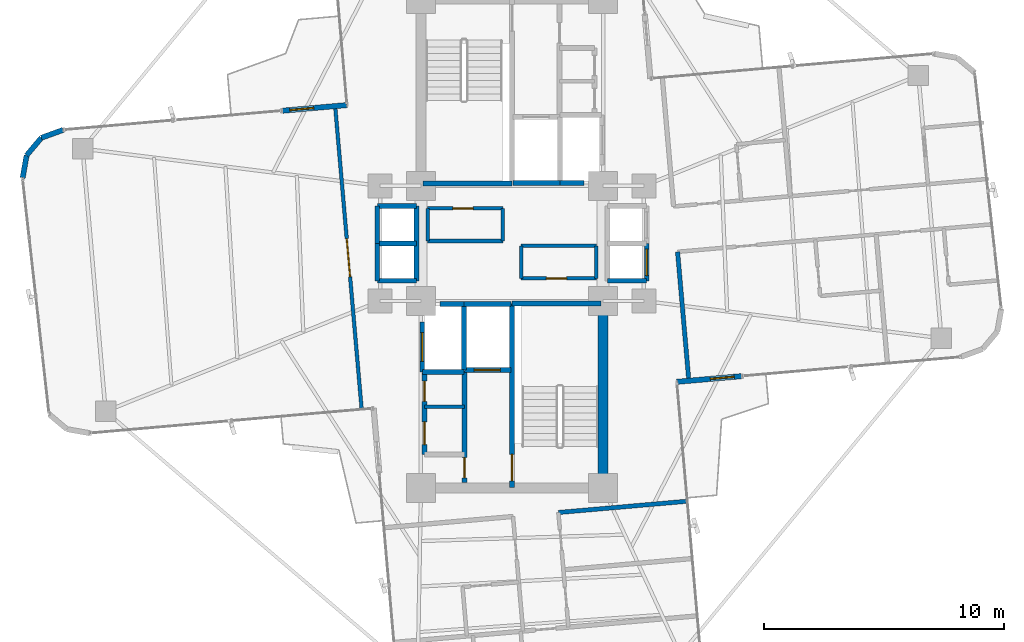
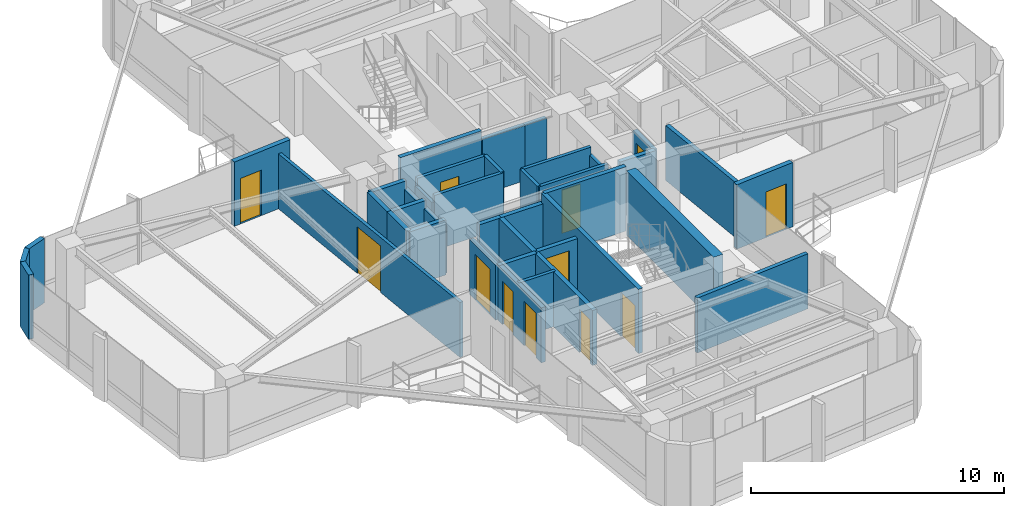
# One storey, part 21 of 24: 39 walls, 12 doors, 12 openings.
"""IFC4 building model written with IfcOpenShell, lengths in metres."""

from ifc_helpers import new_model, si_unit, direction, frame, frame_2d, origin, origin_2d, place, context, subcontext, project, spatial, rectangle, extrude, source, transform, mapped, material, layer, layer_set, type_object, element, fill, save


model = new_model("IFC4")

# Units and contexts
model_context = context("Model", 3, precision=1e-05, world=origin(), true_north=direction((0.0, 1.0)))
body_context = subcontext(model_context, "Body", "Model", "MODEL_VIEW")
ifc_project = project(units=[si_unit("LENGTHUNIT", "METRE"), si_unit("AREAUNIT", "SQUARE_METRE"), si_unit("VOLUMEUNIT", "CUBIC_METRE"), si_unit("PLANEANGLEUNIT", "RADIAN"), si_unit("MASSUNIT", "GRAM", prefix="KILO")], contexts=[model_context])

# Site, building, storey
site_placement = place(None, origin())
site = spatial("IfcSite", under=ifc_project, at=site_placement, CompositionType="ELEMENT")
building_placement = place(site_placement, origin())
building = spatial("IfcBuilding", under=site, at=building_placement, Name="Sahyath Konkavel Grand Hotel", CompositionType="ELEMENT")
storey_placement = place(building_placement, frame((0.0, 0.0, 164.0)))
storey = spatial("IfcBuildingStorey", under=building, at=storey_placement, Name="L45", CompositionType="ELEMENT", Elevation=164.0)

# Wall
ifc_material_1 = material(Name="Concrete C50/60", Category="concrete")
ifc_layer_1 = layer(ifc_material_1, 0.419921875)
ifc_layer_set_1 = layer_set([ifc_layer_1], Name="Concrete C50/60")
wall_type_1 = type_object("IfcWallType", Name="CWALL-420", PredefinedType="SHEAR", material=ifc_layer_set_1)
wall_1_placement = place(storey_placement, frame((3.800048828125, -9.75, 0.0), z_axis=(0.0, 0.0, 1.0), x_axis=(0.0, 1.0, 0.0)))
element("IfcWall", 1, at=wall_1_placement, inside=storey, type_object=wall_type_1, Name="L45 South Core Shear Wall E", PredefinedType="SHEAR", context=body_context, shape_type="SweptSolid", body=[
    extrude(rectangle(XDim=6.89990234375, YDim=0.419921875, at=frame_2d((3.449951171875, 0.0))), origin(), (0.0, 0.0, 1.0), 3.110107421875),
])

# Wall, opening, door
ifc_material_2 = material(Name="Warm Buff Sandstone Insulated Concrete C40/50", Category="masonry")
ifc_layer_2 = layer(ifc_material_2, 0.219970703125)
ifc_layer_set_2 = layer_set([ifc_layer_2], Name="Warm Buff Sandstone Insulated Concrete C40/50")
wall_type_2 = type_object("IfcWallType", Name="WLL-BALC-THRESH", PredefinedType="STANDARD", material=ifc_layer_set_2)
wall_2_placement = place(storey_placement, frame((6.87939453125, -5.7724609375, 0.0), z_axis=(0.0, 0.0, 1.0), x_axis=(0.996193619346, 0.087168071984, 0.0)))
wall_2 = element("IfcWall", 2, at=wall_2_placement, inside=storey, type_object=wall_type_2, Name="L45 Winter-Garden Threshold Wall 0", PredefinedType="STANDARD", context=body_context, shape_type="SweptSolid", body=[
    extrude(rectangle(XDim=2.699951171875, YDim=0.219970703125, at=frame_2d((1.35009765625, 0.0))), origin(), (0.0, 0.0, 1.0), 3.110107421875),
])
opening_1_placement = place(wall_2_placement, frame((1.39990234375, 0.0, 0.0)))
opening_1 = element("IfcOpeningElement", 3, at=opening_1_placement, cuts=wall_2, Name="Opening D-TR1", PredefinedType="OPENING", context=body_context, shape_type="SweptSolid", body=[
    extrude(rectangle(XDim=1.0, YDim=2.199951171875, at=frame_2d((0.5, 1.10009765625))), frame((0.0, 0.1201171875, 0.0), z_axis=(0.0, -1.0, 0.0), x_axis=(1.0, 0.0, 0.0)), (0.0, 0.0, 1.0), 0.239990234375),
])
ifc_material_3 = material(Name="Anodised Bronze Aluminium & Low-E Glazing", Category="aluminium")
door_type_1 = type_object("IfcDoorType", Name="DR-TERRACE-1000", OperationType="NOTDEFINED", PredefinedType="DOOR", material=ifc_material_3)
shared_shape_1 = source(origin(), body_context, "Body", "SweptSolid", [
    extrude(rectangle(XDim=1.0, YDim=0.050048828125, at=origin_2d()), origin(), (0.0, 0.0, 1.0), 2.199951171875),
])
door_1_placement = place(opening_1_placement, frame((0.5, 0.0, 0.0)))
door_1 = element("IfcDoor", 4, at=door_1_placement, inside=storey, type_object=door_type_1, Name="L45 Winter-Garden Terrace Door 0", OperationType="SINGLE_SWING_LEFT", OverallHeight=2.199951171875, OverallWidth=1.0, PredefinedType="DOOR", context=body_context, shape_type="MappedRepresentation", body=[
    mapped(shared_shape_1, transform((0.0, 0.0, 0.0), scale=1.0)),
])
fill(opening_1, door_1)

wall_3_placement = place(storey_placement, frame((-6.87939453125, 5.7724609375, 0.0), z_axis=(0.0, 0.0, 1.0), x_axis=(-0.996193619346, -0.087168071984, 0.0)))
wall_3 = element("IfcWall", 5, at=wall_3_placement, inside=storey, type_object=wall_type_2, Name="L45 Winter-Garden Threshold Wall 16", PredefinedType="STANDARD", context=body_context, shape_type="SweptSolid", body=[
    extrude(rectangle(XDim=2.699951171875, YDim=0.219970703125, at=frame_2d((1.35009765625, 0.0))), origin(), (0.0, 0.0, 1.0), 3.110107421875),
])
opening_2_placement = place(wall_3_placement, frame((1.39990234375, 0.0, 0.0)))
opening_2 = element("IfcOpeningElement", 6, at=opening_2_placement, cuts=wall_3, Name="Opening D-TR1", PredefinedType="OPENING", context=body_context, shape_type="SweptSolid", body=[
    extrude(rectangle(XDim=1.0, YDim=2.199951171875, at=frame_2d((0.5, 1.10009765625))), frame((0.0, 0.1201171875, 0.0), z_axis=(0.0, -1.0, 0.0), x_axis=(1.0, 0.0, 0.0)), (0.0, 0.0, 1.0), 0.239990234375),
])
door_2_placement = place(opening_2_placement, frame((0.5, 0.0, 0.0)))
door_2 = element("IfcDoor", 7, at=door_2_placement, inside=storey, type_object=door_type_1, Name="L45 Winter-Garden Terrace Door 16", OperationType="SINGLE_SWING_LEFT", OverallHeight=2.199951171875, OverallWidth=1.0, PredefinedType="DOOR", context=body_context, shape_type="MappedRepresentation", body=[
    mapped(shared_shape_1, transform((0.0, 0.0, 0.0), scale=1.0)),
])
fill(opening_2, door_2)

# Walls
wall_4_placement = place(storey_placement, frame((-18.73388671875, 4.735107421875, 0.0), z_axis=(0.0, 0.0, 1.0), x_axis=(-0.939741306239, -0.34188635151, 0.0)))
element("IfcWall", 8, at=wall_4_placement, inside=storey, type_object=wall_type_2, Name="L45 Rounded Corner Sandstone Pier 17", PredefinedType="STANDARD", context=body_context, shape_type="SweptSolid", body=[
    extrude(rectangle(XDim=0.95751953125, YDim=0.219970703125, at=frame_2d((0.478759765625, 0.0))), origin(), (0.0, 0.0, 1.0), 3.110107421875),
])
for number, where, z_axis, x_axis, name in (
    (9, (-19.6337890625, 4.40771484375, 0.0), (0.0, 0.0, 1.0), (-0.642863236823, -0.765980978054, 0.0), "L45 Rounded Corner Sandstone Pier 18"),
    (10, (-20.24951171875, 3.674072265625, 0.0), (0.0, 0.0, 1.0), (-0.173610811841, -0.984814340885, 0.0), "L45 Rounded Corner Sandstone Pier 19"),
):
    element("IfcWall", number, at=place(storey_placement, frame(where, z_axis=z_axis, x_axis=x_axis)), inside=storey, type_object=wall_type_2, Name=name, PredefinedType="STANDARD", context=body_context, shape_type="SweptSolid", body=[
        extrude(rectangle(XDim=0.957763671875, YDim=0.219970703125, at=frame_2d((0.47900390625, 0.0))), origin(), (0.0, 0.0, 1.0), 3.110107421875),
    ])
ifc_material_4 = material(Name="Concrete C40/50", Category="concrete")
ifc_layer_3 = layer(ifc_material_4, 0.199951171875)
ifc_layer_set_3 = layer_set([ifc_layer_3], Name="Concrete C40/50")
wall_type_3 = type_object("IfcWallType", Name="WLL-CORE-200", PredefinedType="SOLIDWALL", material=ifc_layer_set_3)
wall_5_placement = place(storey_placement, frame((-3.719970703125, 2.5, 0.0), z_axis=(0.0, 0.0, 1.0), x_axis=(1.0, 0.0, 0.0)))
element("IfcWall", 11, at=wall_5_placement, inside=storey, type_object=wall_type_3, Name="L45 Stair ST-1 Shaft Wall S", PredefinedType="SOLIDWALL", context=body_context, shape_type="SweptSolid", body=[
    extrude(rectangle(XDim=3.719970703125, YDim=0.199951171875, at=frame_2d((1.85986328125, 0.0))), origin(), (0.0, 0.0, 1.0), 3.110107421875),
])

# Wall, opening, door
wall_6_placement = place(storey_placement, frame((0.0, -10.179931640625, 0.0), z_axis=(0.0, 0.0, 1.0), x_axis=(0.0, 1.0, 0.0)))
wall_6 = element("IfcWall", 12, at=wall_6_placement, inside=storey, type_object=wall_type_3, Name="L45 Stair ST-2 Shaft Wall W", PredefinedType="SOLIDWALL", context=body_context, shape_type="SweptSolid", body=[
    extrude(rectangle(XDim=7.679931640625, YDim=0.199951171875, at=frame_2d((3.83984375, 0.0))), origin(), (0.0, 0.0, 1.0), 3.110107421875),
])
opening_3_placement = place(wall_6_placement, frame((0.280029296875, 0.0, 0.0)))
opening_3 = element("IfcOpeningElement", 13, at=opening_3_placement, cuts=wall_6, Name="Opening D-F12B", PredefinedType="OPENING", context=body_context, shape_type="SweptSolid", body=[
    extrude(rectangle(XDim=1.10009765625, YDim=2.14990234375, at=frame_2d((0.550048828125, 1.074951171875))), frame((0.0, 0.10986328125, 0.0), z_axis=(0.0, -1.0, 0.0), x_axis=(1.0, 0.0, 0.0)), (0.0, 0.0, 1.0), 0.219970703125),
])
ifc_material_5 = material(Name="Steel E350 Smokeproof Fire Door", Category="steel")
door_type_2 = type_object("IfcDoorType", Name="DR-FD120-1100", OperationType="NOTDEFINED", PredefinedType="DOOR", material=ifc_material_5)
shared_shape_2 = source(origin(), body_context, "Body", "SweptSolid", [
    extrude(rectangle(XDim=1.10009765625, YDim=0.050048828125, at=origin_2d()), origin(), (0.0, 0.0, 1.0), 2.14990234375),
])
door_3_placement = place(opening_3_placement, frame((0.550048828125, 0.0, 0.0)))
door_3 = element("IfcDoor", 14, at=door_3_placement, inside=storey, type_object=door_type_2, Name="L45 Stair ST-2 Fire Door", OperationType="SINGLE_SWING_RIGHT", OverallHeight=2.14990234375, OverallWidth=1.10009765625, PredefinedType="DOOR", context=body_context, shape_type="MappedRepresentation", body=[
    mapped(shared_shape_2, transform((0.0, 0.0, 0.0), scale=1.0)),
])
fill(opening_3, door_3)

# Wall
wall_7_placement = place(storey_placement, frame((0.0, -2.5, 0.0), z_axis=(0.0, 0.0, 1.0), x_axis=(1.0, 0.0, 0.0)))
element("IfcWall", 15, at=wall_7_placement, inside=storey, type_object=wall_type_3, Name="L45 Stair ST-2 Shaft Wall N", PredefinedType="SOLIDWALL", context=body_context, shape_type="SweptSolid", body=[
    extrude(rectangle(XDim=3.719970703125, YDim=0.199951171875, at=frame_2d((1.85986328125, 0.0))), origin(), (0.0, 0.0, 1.0), 3.110107421875),
])

# Wall, opening, door
wall_8_placement = place(storey_placement, frame((-1.97998046875, -9.97998046875, 0.0), z_axis=(0.0, 0.0, 1.0), x_axis=(0.0, 1.0, 0.0)))
wall_8 = element("IfcWall", 16, at=wall_8_placement, inside=storey, type_object=wall_type_3, Name="L45 South Firefighting Lobby Wall W", PredefinedType="SOLIDWALL", context=body_context, shape_type="SweptSolid", body=[
    extrude(rectangle(XDim=4.659912109375, YDim=0.199951171875, at=frame_2d((2.330078125, 0.0))), origin(), (0.0, 0.0, 1.0), 2.659912109375),
])
opening_4_placement = place(wall_8_placement, frame((0.199951171875, 0.0, 0.0)))
opening_4 = element("IfcOpeningElement", 17, at=opening_4_placement, cuts=wall_8, Name="Opening D-F12D", PredefinedType="OPENING", context=body_context, shape_type="SweptSolid", body=[
    extrude(rectangle(XDim=0.85009765625, YDim=2.10009765625, at=frame_2d((0.425048828125, 1.050048828125))), frame((0.0, 0.10986328125, 0.0), z_axis=(0.0, -1.0, 0.0), x_axis=(1.0, 0.0, 0.0)), (0.0, 0.0, 1.0), 0.219970703125),
])
ifc_material_6 = material(Name="Steel E350 Core Fire Door", Category="steel")
door_type_3 = type_object("IfcDoorType", Name="DR-FD120-850", OperationType="NOTDEFINED", PredefinedType="DOOR", material=ifc_material_6)
shared_shape_3 = source(origin(), body_context, "Body", "SweptSolid", [
    extrude(rectangle(XDim=0.85009765625, YDim=0.050048828125, at=origin_2d()), origin(), (0.0, 0.0, 1.0), 2.10009765625),
])
door_4_placement = place(opening_4_placement, frame((0.425048828125, 0.0, 0.0)))
door_4 = element("IfcDoor", 18, at=door_4_placement, inside=storey, type_object=door_type_3, Name="L45 South Firefighting Lobby Door", OperationType="SINGLE_SWING_RIGHT", OverallHeight=2.10009765625, OverallWidth=0.85009765625, PredefinedType="DOOR", context=body_context, shape_type="MappedRepresentation", body=[
    mapped(shared_shape_3, transform((0.0, 0.0, 0.0), scale=1.0)),
])
fill(opening_4, door_4)

# Walls
wall_9_placement = place(storey_placement, frame((0.050048828125, 2.52001953125, 0.0), z_axis=(0.0, 0.0, 1.0), x_axis=(1.0, 0.0, 0.0)))
element("IfcWall", 19, at=wall_9_placement, inside=storey, type_object=wall_type_3, Name="L45 Partition SH-FFL1-S", PredefinedType="SOLIDWALL", context=body_context, shape_type="SweptSolid", body=[
    extrude(rectangle(XDim=1.949951171875, YDim=0.199951171875, at=frame_2d((0.97509765625, 0.0))), origin(), (0.0, 0.0, 1.0), 2.659912109375),
])
wall_10_placement = place(storey_placement, frame((-2.0, -5.280029296875, 0.0), z_axis=(0.0, 0.0, 1.0), x_axis=(0.0, 1.0, 0.0)))
element("IfcWall", 20, at=wall_10_placement, inside=storey, type_object=wall_type_3, Name="L45 Partition SH-FFL2-W", PredefinedType="SOLIDWALL", context=body_context, shape_type="SweptSolid", body=[
    extrude(rectangle(XDim=2.780029296875, YDim=0.199951171875, at=frame_2d((1.39013671875, 0.0))), origin(), (0.0, 0.0, 1.0), 2.659912109375),
])
wall_11_placement = place(storey_placement, frame((-2.0, -2.52001953125, 0.0), z_axis=(0.0, 0.0, 1.0), x_axis=(1.0, 0.0, 0.0)))
element("IfcWall", 21, at=wall_11_placement, inside=storey, type_object=wall_type_3, Name="L45 Partition SH-FFL2-N", PredefinedType="SOLIDWALL", context=body_context, shape_type="SweptSolid", body=[
    extrude(rectangle(XDim=1.949951171875, YDim=0.199951171875, at=frame_2d((0.97509765625, 0.0))), origin(), (0.0, 0.0, 1.0), 2.659912109375),
])

# Wall, opening, door
wall_12_placement = place(storey_placement, frame((-1.97998046875, -5.280029296875, 0.0), z_axis=(0.0, 0.0, 1.0), x_axis=(1.0, 0.0, 0.0)))
wall_12 = element("IfcWall", 22, at=wall_12_placement, inside=storey, type_object=wall_type_3, Name="L45 Partition SH-FFL2-S", PredefinedType="SOLIDWALL", context=body_context, shape_type="SweptSolid", body=[
    extrude(rectangle(XDim=1.929931640625, YDim=0.199951171875, at=frame_2d((0.96484375, 0.0))), origin(), (0.0, 0.0, 1.0), 2.659912109375),
])
opening_5_placement = place(wall_12_placement, frame((0.39990234375, 0.0, 0.0)))
opening_5 = element("IfcOpeningElement", 23, at=opening_5_placement, cuts=wall_12, Name="Opening LD-11", PredefinedType="OPENING", context=body_context, shape_type="SweptSolid", body=[
    extrude(rectangle(XDim=1.10009765625, YDim=2.199951171875, at=frame_2d((0.550048828125, 1.10009765625))), frame((0.0, 0.10986328125, 0.0), z_axis=(0.0, -1.0, 0.0), x_axis=(1.0, 0.0, 0.0)), (0.0, 0.0, 1.0), 0.219970703125),
])
ifc_material_7 = material(Name="Bronze Lift Landing Door 1100")
door_type_4 = type_object("IfcDoorType", Name="DR-LIFT-1100", OperationType="DOUBLE_DOOR_SLIDING", PredefinedType="DOOR", material=ifc_material_7)
shared_shape_4 = source(origin(), body_context, "Body", "SweptSolid", [
    extrude(rectangle(XDim=1.10009765625, YDim=0.050048828125, at=origin_2d()), origin(), (0.0, 0.0, 1.0), 2.199951171875),
])
door_5_placement = place(opening_5_placement, frame((0.550048828125, 0.0, 0.0)))
door_5 = element("IfcDoor", 24, at=door_5_placement, inside=storey, type_object=door_type_4, Name="L45 Lift FFL-2 Landing Door", OperationType="DOUBLE_DOOR_SLIDING", OverallHeight=2.199951171875, OverallWidth=1.10009765625, PredefinedType="DOOR", context=body_context, shape_type="MappedRepresentation", body=[
    mapped(shared_shape_4, transform((0.0, 0.0, 0.0), scale=1.0)),
])
fill(opening_5, door_5)

# Walls
for number, where, z_axis, x_axis, name in (
    (25, (2.0, 2.52001953125, 0.0), (0.0, 0.0, 1.0), (1.0, 0.0, 0.0), "L45 Partition SH-SVL1-S"),
    (26, (-3.0, -2.52001953125, 0.0), (0.0, 0.0, 1.0), (1.0, 0.0, 0.0), "L45 Partition SH-SVL2-N"),
):
    element("IfcWall", number, at=place(storey_placement, frame(where, z_axis=z_axis, x_axis=x_axis)), inside=storey, type_object=wall_type_3, Name=name, PredefinedType="SOLIDWALL", context=body_context, shape_type="SweptSolid", body=[
        extrude(rectangle(XDim=1.0, YDim=0.199951171875, at=frame_2d((0.5, 0.0))), origin(), (0.0, 0.0, 1.0), 2.659912109375),
    ])
wall_13_placement = place(storey_placement, frame((-3.739990234375, -5.360107421875, 0.0), z_axis=(0.0, 0.0, 1.0), x_axis=(1.0, 0.0, 0.0)))
element("IfcWall", 27, at=wall_13_placement, inside=storey, type_object=wall_type_3, Name="L45 Partition SH-SVL2-S", PredefinedType="SOLIDWALL", context=body_context, shape_type="SweptSolid", body=[
    extrude(rectangle(XDim=1.739990234375, YDim=0.199951171875, at=frame_2d((0.8701171875, 0.0))), origin(), (0.0, 0.0, 1.0), 2.659912109375),
])

# Wall, opening, door
wall_14_placement = place(storey_placement, frame((-3.739990234375, -5.360107421875, 0.0), z_axis=(0.0, 0.0, 1.0), x_axis=(0.0, 1.0, 0.0)))
wall_14 = element("IfcWall", 28, at=wall_14_placement, inside=storey, type_object=wall_type_3, Name="L45 Partition SH-SVL2-W", PredefinedType="SOLIDWALL", context=body_context, shape_type="SweptSolid", body=[
    extrude(rectangle(XDim=2.080078125, YDim=0.199951171875, at=frame_2d((1.0400390625, 0.0))), origin(), (0.0, 0.0, 1.0), 2.659912109375),
])
opening_6_placement = place(wall_14_placement, frame((0.43994140625, 0.0, 0.0)))
opening_6 = element("IfcOpeningElement", 29, at=opening_6_placement, cuts=wall_14, Name="Opening LD-12", PredefinedType="OPENING", context=body_context, shape_type="SweptSolid", body=[
    extrude(rectangle(XDim=1.199951171875, YDim=2.199951171875, at=frame_2d((0.60009765625, 1.10009765625))), frame((0.0, 0.10986328125, 0.0), z_axis=(0.0, -1.0, 0.0), x_axis=(1.0, 0.0, 0.0)), (0.0, 0.0, 1.0), 0.219970703125),
])
ifc_material_8 = material(Name="Stainless Steel Lift Landing Door 1200", Category="steel")
door_type_5 = type_object("IfcDoorType", Name="DR-LIFT-1200", OperationType="DOUBLE_DOOR_SLIDING", PredefinedType="DOOR", material=ifc_material_8)
shared_shape_5 = source(origin(), body_context, "Body", "SweptSolid", [
    extrude(rectangle(XDim=1.199951171875, YDim=0.050048828125, at=origin_2d()), origin(), (0.0, 0.0, 1.0), 2.199951171875),
])
door_6_placement = place(opening_6_placement, frame((0.60009765625, 0.0, 0.0)))
door_6 = element("IfcDoor", 30, at=door_6_placement, inside=storey, type_object=door_type_5, Name="L45 Service Lift SVL-2 Landing Door", OperationType="DOUBLE_DOOR_SLIDING", OverallHeight=2.199951171875, OverallWidth=1.199951171875, PredefinedType="DOOR", context=body_context, shape_type="MappedRepresentation", body=[
    mapped(shared_shape_5, transform((0.0, 0.0, 0.0), scale=1.0)),
])
fill(opening_6, door_6)

# Wall
wall_15_placement = place(storey_placement, frame((3.97998046875, -1.56005859375, 0.0), z_axis=(0.0, 0.0, 1.0), x_axis=(1.0, 0.0, 0.0)))
element("IfcWall", 31, at=wall_15_placement, inside=storey, type_object=wall_type_3, Name="L45 Partition SH-PL56-S", PredefinedType="SOLIDWALL", context=body_context, shape_type="SweptSolid", body=[
    extrude(rectangle(XDim=1.64013671875, YDim=0.199951171875, at=frame_2d((0.820068359375, 0.0))), origin(), (0.0, 0.0, 1.0), 2.659912109375),
])

# Wall, opening, door
wall_16_placement = place(storey_placement, frame((5.6201171875, -1.56005859375, 0.0), z_axis=(0.0, 0.0, 1.0), x_axis=(0.0, 1.0, 0.0)))
wall_16 = element("IfcWall", 32, at=wall_16_placement, inside=storey, type_object=wall_type_3, Name="L45 Partition SH-PL6-E", PredefinedType="SOLIDWALL", context=body_context, shape_type="SweptSolid", body=[
    extrude(rectangle(XDim=1.56005859375, YDim=0.199951171875, at=frame_2d((0.780029296875, 0.0))), origin(), (0.0, 0.0, 1.0), 2.659912109375),
])
opening_7_placement = place(wall_16_placement, frame((0.219970703125, 0.0, 0.0)))
opening_7 = element("IfcOpeningElement", 33, at=opening_7_placement, cuts=wall_16, Name="Opening LD-11", PredefinedType="OPENING", context=body_context, shape_type="SweptSolid", body=[
    extrude(rectangle(XDim=1.10009765625, YDim=2.199951171875, at=frame_2d((0.550048828125, 1.10009765625))), frame((0.0, 0.10986328125, 0.0), z_axis=(0.0, -1.0, 0.0), x_axis=(1.0, 0.0, 0.0)), (0.0, 0.0, 1.0), 0.219970703125),
])
door_7_placement = place(opening_7_placement, frame((0.550048828125, 0.0, 0.0)))
door_7 = element("IfcDoor", 34, at=door_7_placement, inside=storey, type_object=door_type_4, Name="L45 High-Rise Lift PL-6 Landing Door", OperationType="DOUBLE_DOOR_SLIDING", OverallHeight=2.199951171875, OverallWidth=1.10009765625, PredefinedType="DOOR", context=body_context, shape_type="MappedRepresentation", body=[
    mapped(shared_shape_4, transform((0.0, 0.0, 0.0), scale=1.0)),
])
fill(opening_7, door_7)

# Walls
wall_17_placement = place(storey_placement, frame((-3.97998046875, -1.56005859375, 0.0), z_axis=(0.0, 0.0, 1.0), x_axis=(0.0, 1.0, 0.0)))
element("IfcWall", 35, at=wall_17_placement, inside=storey, type_object=wall_type_3, Name="L45 Partition SH-SL12-E", PredefinedType="SOLIDWALL", context=body_context, shape_type="SweptSolid", body=[
    extrude(rectangle(XDim=3.1201171875, YDim=0.199951171875, at=frame_2d((1.56005859375, 0.0))), origin(), (0.0, 0.0, 1.0), 2.280029296875),
])
for number, where, z_axis, x_axis, name in (
    (36, (-5.6201171875, 1.56005859375, 0.0), (0.0, 0.0, 1.0), (1.0, 0.0, 0.0), "L45 Partition SH-SL12-N"),
    (37, (-5.6201171875, -1.56005859375, 0.0), (0.0, 0.0, 1.0), (1.0, 0.0, 0.0), "L45 Partition SH-SL12-S"),
    (38, (-5.6201171875, 0.0, 0.0), (0.0, 0.0, 1.0), (1.0, 0.0, 0.0), "L45 Partition SH-SL12-M"),
):
    element("IfcWall", number, at=place(storey_placement, frame(where, z_axis=z_axis, x_axis=x_axis)), inside=storey, type_object=wall_type_3, Name=name, PredefinedType="SOLIDWALL", context=body_context, shape_type="SweptSolid", body=[
        extrude(rectangle(XDim=1.64013671875, YDim=0.199951171875, at=frame_2d((0.820068359375, 0.0))), origin(), (0.0, 0.0, 1.0), 2.659912109375),
    ])
for number, where, z_axis, x_axis, name in (
    (39, (-5.6201171875, 0.0, 0.0), (0.0, 0.0, 1.0), (0.0, 1.0, 0.0), "L45 Partition SH-SL1-W"),
    (40, (-5.6201171875, -1.56005859375, 0.0), (0.0, 0.0, 1.0), (0.0, 1.0, 0.0), "L45 Partition SH-SL2-W"),
):
    element("IfcWall", number, at=place(storey_placement, frame(where, z_axis=z_axis, x_axis=x_axis)), inside=storey, type_object=wall_type_3, Name=name, PredefinedType="SOLIDWALL", context=body_context, shape_type="SweptSolid", body=[
        extrude(rectangle(XDim=1.56005859375, YDim=0.199951171875, at=frame_2d((0.780029296875, 0.0))), origin(), (0.0, 0.0, 1.0), 2.659912109375),
    ])

# Wall, openings, doors
wall_18_placement = place(storey_placement, frame((-3.64990234375, -8.81005859375, 0.0), z_axis=(0.0, 0.0, 1.0), x_axis=(0.0, 1.0, 0.0)))
wall_18 = element("IfcWall", 41, at=wall_18_placement, inside=storey, type_object=wall_type_3, Name="L45 Reclaimed South Core Wall W", PredefinedType="SOLIDWALL", context=body_context, shape_type="SweptSolid", body=[
    extrude(rectangle(XDim=3.43017578125, YDim=0.199951171875, at=frame_2d((1.715087890625, 0.0))), origin(), (0.0, 0.0, 1.0), 2.659912109375),
])
opening_8_placement = place(wall_18_placement, frame((0.419921875, 0.0, 0.0)))
opening_8 = element("IfcOpeningElement", 42, at=opening_8_placement, cuts=wall_18, Name="Opening D-AC95", PredefinedType="OPENING", context=body_context, shape_type="SweptSolid", body=[
    extrude(rectangle(XDim=0.949951171875, YDim=2.14990234375, at=frame_2d((0.47509765625, 1.074951171875))), frame((0.0, 0.10986328125, 0.0), z_axis=(0.0, -1.0, 0.0), x_axis=(1.0, 0.0, 0.0)), (0.0, 0.0, 1.0), 0.219970703125),
])
opening_9_placement = place(wall_18_placement, frame((2.219970703125, 0.0, 0.0)))
opening_9 = element("IfcOpeningElement", 43, at=opening_9_placement, cuts=wall_18, Name="Opening D-F06D", PredefinedType="OPENING", context=body_context, shape_type="SweptSolid", body=[
    extrude(rectangle(XDim=0.85009765625, YDim=2.10009765625, at=frame_2d((0.425048828125, 1.050048828125))), frame((0.0, 0.10986328125, 0.0), z_axis=(0.0, -1.0, 0.0), x_axis=(1.0, 0.0, 0.0)), (0.0, 0.0, 1.0), 0.219970703125),
])
ifc_material_9 = material(Name="Accessible Washroom Timber Door", Category="wood")
door_type_6 = type_object("IfcDoorType", Name="DR-ACC-950", OperationType="NOTDEFINED", PredefinedType="DOOR", material=ifc_material_9)
shared_shape_6 = source(origin(), body_context, "Body", "SweptSolid", [
    extrude(rectangle(XDim=0.949951171875, YDim=0.050048828125, at=origin_2d()), origin(), (0.0, 0.0, 1.0), 2.14990234375),
])
door_8_placement = place(opening_8_placement, frame((0.47509765625, 0.0, 0.0)))
door_8 = element("IfcDoor", 44, at=door_8_placement, inside=storey, type_object=door_type_6, Name="L45 Door SC-REC1-D", OperationType="SINGLE_SWING_LEFT", OverallHeight=2.14990234375, OverallWidth=0.949951171875, PredefinedType="DOOR", context=body_context, shape_type="MappedRepresentation", body=[
    mapped(shared_shape_6, transform((0.0, 0.0, 0.0), scale=1.0)),
])
fill(opening_8, door_8)
ifc_material_10 = material(Name="Fire-Rated Shaft Access Door")
door_type_7 = type_object("IfcDoorType", Name="DR-FD60-850", OperationType="NOTDEFINED", PredefinedType="DOOR", material=ifc_material_10)
door_9_placement = place(opening_9_placement, frame((0.425048828125, 0.0, 0.0)))
door_9 = element("IfcDoor", 45, at=door_9_placement, inside=storey, type_object=door_type_7, Name="L45 Door SC-REC2-D", OperationType="SINGLE_SWING_RIGHT", OverallHeight=2.10009765625, OverallWidth=0.85009765625, PredefinedType="DOOR", context=body_context, shape_type="MappedRepresentation", body=[
    mapped(shared_shape_3, transform((0.0, 0.0, 0.0), scale=1.0)),
])
fill(opening_9, door_9)

# Walls
ifc_material_11 = material(Name="Twin-Stud Acoustic Gypsum Plasterboard Partition")
ifc_layer_4 = layer(ifc_material_11, 0.179931640625)
ifc_layer_set_4 = layer_set([ifc_layer_4], Name="Twin-Stud Acoustic Gypsum Plasterboard Partition")
wall_type_4 = type_object("IfcWallType", Name="WLL-DEMISE-180", PredefinedType="PARTITIONING", material=ifc_layer_set_4)
for number, where, z_axis, x_axis, name in (
    (46, (7.373046875, -5.678955078125, 0.0), (0.0, 0.0, 1.0), (-0.087161289348, 0.996194212812, 0.0), "L45 Partition E-INR"),
    (47, (1.935546875, -11.22412109375, 0.0), (0.0, 0.0, 1.0), (0.996194212812, 0.087161289348, 0.0), "L45 Partition S-INL"),
):
    element("IfcWall", number, at=place(storey_placement, frame(where, z_axis=z_axis, x_axis=x_axis)), inside=storey, type_object=wall_type_4, Name=name, PredefinedType="PARTITIONING", context=body_context, shape_type="SweptSolid", body=[
        extrude(rectangle(XDim=5.349853515625, YDim=0.179931640625, at=frame_2d((2.6748046875, 0.0))), origin(), (0.0, 0.0, 1.0), 2.659912109375),
    ])
ifc_material_12 = material(Name="Fire-Rated Gypsum Plasterboard Partition")
ifc_layer_5 = layer(ifc_material_12, 0.14990234375)
ifc_layer_set_5 = layer_set([ifc_layer_5], Name="Fire-Rated Gypsum Plasterboard Partition")
wall_type_5 = type_object("IfcWallType", Name="WLL-PART-150", PredefinedType="PARTITIONING", material=ifc_layer_set_5)
wall_19_placement = place(storey_placement, frame((-3.64990234375, -6.81005859375, 0.0), z_axis=(0.0, 0.0, 1.0), x_axis=(1.0, 0.0, 0.0)))
element("IfcWall", 48, at=wall_19_placement, inside=storey, type_object=wall_type_5, Name="L45 Partition SC-REC-M1", PredefinedType="PARTITIONING", context=body_context, shape_type="SweptSolid", body=[
    extrude(rectangle(XDim=1.669921875, YDim=0.14990234375, at=frame_2d((0.8349609375, 0.0))), origin(), (0.0, 0.0, 1.0), 2.659912109375),
])
wall_20_placement = place(storey_placement, frame((-3.52001953125, 0.10009765625, 0.0), z_axis=(0.0, 0.0, 1.0), x_axis=(1.0, 0.0, 0.0)))
element("IfcWall", 49, at=wall_20_placement, inside=storey, type_object=wall_type_5, Name="L45 Partition CC-3NWS", PredefinedType="PARTITIONING", context=body_context, shape_type="SweptSolid", body=[
    extrude(rectangle(XDim=3.14013671875, YDim=0.14990234375, at=frame_2d((1.570068359375, 0.0))), origin(), (0.0, 0.0, 1.0), 2.659912109375),
])

# Wall, opening, door
wall_21_placement = place(storey_placement, frame((-3.52001953125, 1.4599609375, 0.0), z_axis=(0.0, 0.0, 1.0), x_axis=(1.0, 0.0, 0.0)))
wall_21 = element("IfcWall", 50, at=wall_21_placement, inside=storey, type_object=wall_type_5, Name="L45 Partition CC-3NWN", PredefinedType="PARTITIONING", context=body_context, shape_type="SweptSolid", body=[
    extrude(rectangle(XDim=3.14013671875, YDim=0.14990234375, at=frame_2d((1.570068359375, 0.0))), origin(), (0.0, 0.0, 1.0), 2.659912109375),
])
opening_10_placement = place(wall_21_placement, frame((1.050048828125, 0.0, 0.0)))
opening_10 = element("IfcOpeningElement", 51, at=opening_10_placement, cuts=wall_21, Name="Opening D-F06D", PredefinedType="OPENING", context=body_context, shape_type="SweptSolid", body=[
    extrude(rectangle(XDim=0.85009765625, YDim=2.10009765625, at=frame_2d((0.425048828125, 1.050048828125))), frame((0.0, 0.0849609375, 0.0), z_axis=(0.0, -1.0, 0.0), x_axis=(1.0, 0.0, 0.0)), (0.0, 0.0, 1.0), 0.169921875),
])
door_10_placement = place(opening_10_placement, frame((0.425048828125, 0.0, 0.0)))
door_10 = element("IfcDoor", 52, at=door_10_placement, inside=storey, type_object=door_type_7, Name="L45 Door CC-D3NW", OperationType="SINGLE_SWING_LEFT", OverallHeight=2.10009765625, OverallWidth=0.85009765625, PredefinedType="DOOR", context=body_context, shape_type="MappedRepresentation", body=[
    mapped(shared_shape_3, transform((0.0, 0.0, 0.0), scale=1.0)),
])
fill(opening_10, door_10)

# Walls
wall_22_placement = place(storey_placement, frame((-3.52001953125, 0.10009765625, 0.0), z_axis=(0.0, 0.0, 1.0), x_axis=(0.0, 1.0, 0.0)))
element("IfcWall", 53, at=wall_22_placement, inside=storey, type_object=wall_type_5, Name="L45 Partition CC-3NWW", PredefinedType="PARTITIONING", context=body_context, shape_type="SweptSolid", body=[
    extrude(rectangle(XDim=1.35986328125, YDim=0.14990234375, at=frame_2d((0.679931640625, 0.0))), origin(), (0.0, 0.0, 1.0), 2.280029296875),
])
wall_23_placement = place(storey_placement, frame((-0.3798828125, 0.10009765625, 0.0), z_axis=(0.0, 0.0, 1.0), x_axis=(0.0, 1.0, 0.0)))
element("IfcWall", 54, at=wall_23_placement, inside=storey, type_object=wall_type_5, Name="L45 Partition CC-3NWE", PredefinedType="PARTITIONING", context=body_context, shape_type="SweptSolid", body=[
    extrude(rectangle(XDim=1.35986328125, YDim=0.14990234375, at=frame_2d((0.679931640625, 0.0))), origin(), (0.0, 0.0, 1.0), 2.659912109375),
])
wall_24_placement = place(storey_placement, frame((0.3798828125, -0.10009765625, 0.0), z_axis=(0.0, 0.0, 1.0), x_axis=(1.0, 0.0, 0.0)))
element("IfcWall", 55, at=wall_24_placement, inside=storey, type_object=wall_type_5, Name="L45 Partition CC-3SEN", PredefinedType="PARTITIONING", context=body_context, shape_type="SweptSolid", body=[
    extrude(rectangle(XDim=3.14013671875, YDim=0.14990234375, at=frame_2d((1.570068359375, 0.0))), origin(), (0.0, 0.0, 1.0), 2.659912109375),
])

# Wall, opening, door
wall_25_placement = place(storey_placement, frame((0.3798828125, -1.4599609375, 0.0), z_axis=(0.0, 0.0, 1.0), x_axis=(1.0, 0.0, 0.0)))
wall_25 = element("IfcWall", 56, at=wall_25_placement, inside=storey, type_object=wall_type_5, Name="L45 Partition CC-3SES", PredefinedType="PARTITIONING", context=body_context, shape_type="SweptSolid", body=[
    extrude(rectangle(XDim=3.14013671875, YDim=0.14990234375, at=frame_2d((1.570068359375, 0.0))), origin(), (0.0, 0.0, 1.0), 2.659912109375),
])
opening_11_placement = place(wall_25_placement, frame((1.050048828125, 0.0, 0.0)))
opening_11 = element("IfcOpeningElement", 57, at=opening_11_placement, cuts=wall_25, Name="Opening D-F06D", PredefinedType="OPENING", context=body_context, shape_type="SweptSolid", body=[
    extrude(rectangle(XDim=0.85009765625, YDim=2.10009765625, at=frame_2d((0.425048828125, 1.050048828125))), frame((0.0, 0.0849609375, 0.0), z_axis=(0.0, -1.0, 0.0), x_axis=(1.0, 0.0, 0.0)), (0.0, 0.0, 1.0), 0.169921875),
])
door_11_placement = place(opening_11_placement, frame((0.425048828125, 0.0, 0.0)))
door_11 = element("IfcDoor", 58, at=door_11_placement, inside=storey, type_object=door_type_7, Name="L45 Door CC-D3SE", OperationType="SINGLE_SWING_RIGHT", OverallHeight=2.10009765625, OverallWidth=0.85009765625, PredefinedType="DOOR", context=body_context, shape_type="MappedRepresentation", body=[
    mapped(shared_shape_3, transform((0.0, 0.0, 0.0), scale=1.0)),
])
fill(opening_11, door_11)

# Walls
wall_26_placement = place(storey_placement, frame((0.3798828125, -1.4599609375, 0.0), z_axis=(0.0, 0.0, 1.0), x_axis=(0.0, 1.0, 0.0)))
element("IfcWall", 59, at=wall_26_placement, inside=storey, type_object=wall_type_5, Name="L45 Partition CC-3SEW", PredefinedType="PARTITIONING", context=body_context, shape_type="SweptSolid", body=[
    extrude(rectangle(XDim=1.35986328125, YDim=0.14990234375, at=frame_2d((0.679931640625, 0.0))), origin(), (0.0, 0.0, 1.0), 2.659912109375),
])
wall_27_placement = place(storey_placement, frame((3.52001953125, -1.4599609375, 0.0), z_axis=(0.0, 0.0, 1.0), x_axis=(0.0, 1.0, 0.0)))
element("IfcWall", 60, at=wall_27_placement, inside=storey, type_object=wall_type_5, Name="L45 Partition CC-3SEE", PredefinedType="PARTITIONING", context=body_context, shape_type="SweptSolid", body=[
    extrude(rectangle(XDim=1.35986328125, YDim=0.14990234375, at=frame_2d((0.679931640625, 0.0))), origin(), (0.0, 0.0, 1.0), 2.280029296875),
])

# Wall, opening, door
wall_28_placement = place(storey_placement, frame((-7.373046875, 5.678955078125, 0.0), z_axis=(0.0, 0.0, 1.0), x_axis=(0.087154691724, -0.996194790044, 0.0)))
wall_28 = element("IfcWall", 61, at=wall_28_placement, inside=storey, type_object=wall_type_5, Name="L45 Partition W-SAL-IN", PredefinedType="PARTITIONING", context=body_context, shape_type="SweptSolid", body=[
    extrude(rectangle(XDim=12.599853515625, YDim=0.14990234375, at=frame_2d((6.2998046875, 0.0))), origin(), (0.0, 0.0, 1.0), 2.659912109375),
])
opening_12_placement = place(wall_28_placement, frame((5.5, 0.0, 0.0)))
opening_12 = element("IfcOpeningElement", 62, at=opening_12_placement, cuts=wall_28, Name="Opening D-DB16", PredefinedType="OPENING", context=body_context, shape_type="SweptSolid", body=[
    extrude(rectangle(XDim=1.60009765625, YDim=2.25, at=frame_2d((0.800048828125, 1.125))), frame((0.0, 0.0849609375, 0.0), z_axis=(0.0, -1.0, 0.0), x_axis=(1.0, 0.0, 0.0)), (0.0, 0.0, 1.0), 0.169921875),
])
ifc_material_13 = material(Name="Double Leaf Lounge Glazed Timber Door", Category="wood")
door_type_8 = type_object("IfcDoorType", Name="DR-DBL-1600", OperationType="DOUBLE_DOOR_SINGLE_SWING", PredefinedType="DOOR", material=ifc_material_13)
shared_shape_7 = source(origin(), body_context, "Body", "SweptSolid", [
    extrude(rectangle(XDim=1.60009765625, YDim=0.050048828125, at=origin_2d()), origin(), (0.0, 0.0, 1.0), 2.25),
])
door_12_placement = place(opening_12_placement, frame((0.800048828125, 0.0, 0.0)))
door_12 = element("IfcDoor", 63, at=door_12_placement, inside=storey, type_object=door_type_8, Name="L45 Door W-SAL-D", OperationType="DOUBLE_DOOR_SINGLE_SWING", OverallHeight=2.25, OverallWidth=1.60009765625, PredefinedType="DOOR", context=body_context, shape_type="MappedRepresentation", body=[
    mapped(shared_shape_7, transform((0.0, 0.0, 0.0), scale=1.0)),
])
fill(opening_12, door_12)

save(model, "model.ifc")
